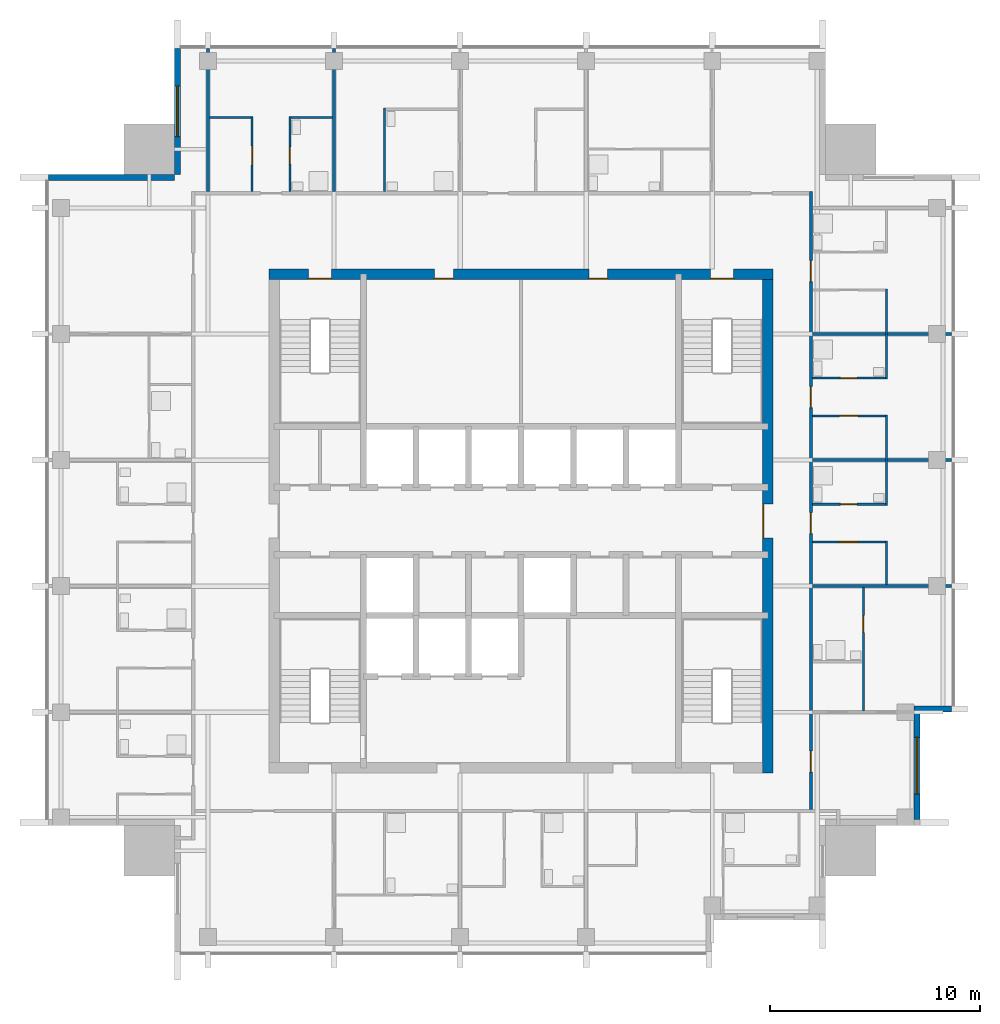
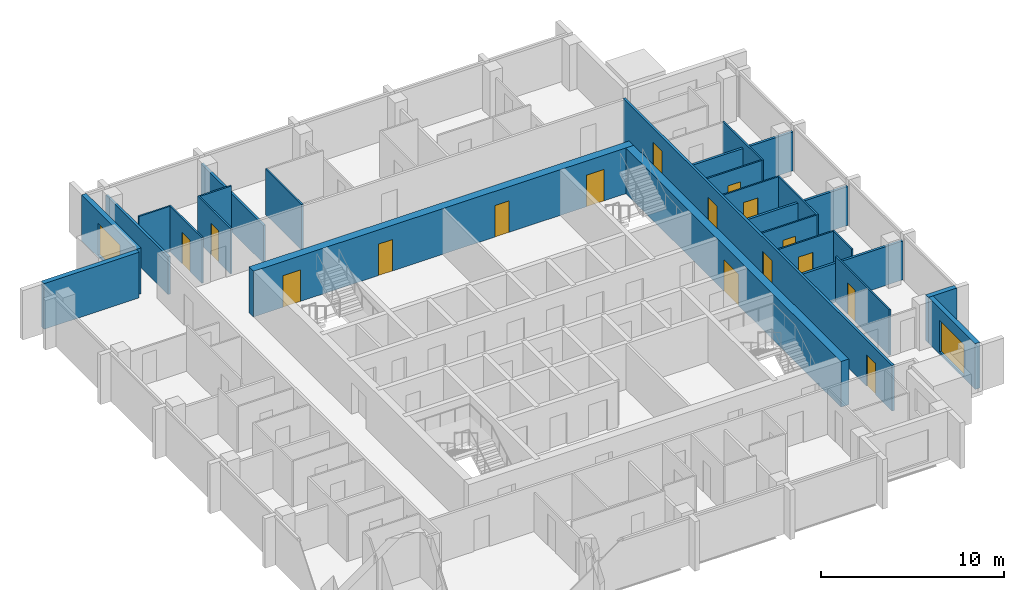
# One storey, part 6 of 9: 25 walls, 16 doors, 2 windows, 18 openings.
"""IFC4 building model written with IfcOpenShell, lengths in metres."""

from ifc_helpers import new_model, si_unit, direction, frame, frame_2d, origin, place, context, subcontext, project, spatial, rectangle, extrude, material, layer, layer_set, type_object, element, fill, save


model = new_model("IFC4")

# Units and contexts
model_context = context("Model", 3, precision=1e-05, world=origin(), true_north=direction((0.0, 1.0)))
body_context = subcontext(model_context, "Body", "Model", "MODEL_VIEW")
ifc_project = project(units=[si_unit("LENGTHUNIT", "METRE"), si_unit("AREAUNIT", "SQUARE_METRE"), si_unit("VOLUMEUNIT", "CUBIC_METRE"), si_unit("PLANEANGLEUNIT", "RADIAN"), si_unit("MASSUNIT", "GRAM", prefix="KILO")], contexts=[model_context])

# Site, building, storey
site_placement = place(None, origin())
site = spatial("IfcSite", under=ifc_project, at=site_placement, CompositionType="ELEMENT")
building_placement = place(site_placement, origin())
building = spatial("IfcBuilding", under=site, at=building_placement, Name="Amberfall Residences", CompositionType="ELEMENT")
storey_placement = place(building_placement, frame((0.0, 0.0, 242.199951171875)))
storey = spatial("IfcBuildingStorey", under=building, at=storey_placement, Name="L64", CompositionType="ELEMENT", Elevation=242.199951171875)

# Wall
ifc_material_1 = material(Name="Pale stone cladding on insulated backing", Category="masonry")
ifc_layer_1 = layer(ifc_material_1, 0.300048828125)
ifc_layer_set_1 = layer_set([ifc_layer_1], Name="Bronze clad wall 300")
wall_type_1 = type_object("IfcWallType", Name="Bronze clad wall 300", PredefinedType="SOLIDWALL", material=ifc_layer_set_1)
wall_1_placement = place(storey_placement, frame((93.199951171875, 36.550048828125, 0.0), z_axis=(0.0, 0.0, 1.0), x_axis=(1.0, 0.0, 0.0)))
element("IfcWall", 1, at=wall_1_placement, inside=storey, type_object=wall_type_1, Name="External wall L64 E", PredefinedType="SOLIDWALL", context=body_context, shape_type="SweptSolid", body=[
    extrude(rectangle(XDim=1.800048828125, YDim=0.300048828125, at=frame_2d((0.89990234375, 0.0))), origin(), (0.0, 0.0, 1.0), 3.050048828125),
])

# Wall, opening, window
wall_2_placement = place(storey_placement, frame((58.14990234375, 68.0, 0.0), z_axis=(0.0, 0.0, 1.0), x_axis=(0.0, -1.0, 0.0)))
wall_2 = element("IfcWall", 2, at=wall_2_placement, inside=storey, type_object=wall_type_1, Name="External wall L64 NW", PredefinedType="SOLIDWALL", context=body_context, shape_type="SweptSolid", body=[
    extrude(rectangle(XDim=6.0, YDim=0.300048828125, at=frame_2d((3.0, 0.0))), origin(), (0.0, 0.0, 1.0), 3.050048828125),
])
opening_1_placement = place(wall_2_placement, frame((1.800048828125, 0.0, 0.14990234375)))
opening_1 = element("IfcOpeningElement", 3, at=opening_1_placement, cuts=wall_2, Name="Opening WN5", PredefinedType="OPENING", context=body_context, shape_type="SweptSolid", body=[
    extrude(rectangle(XDim=2.39990234375, YDim=2.10009765625, at=frame_2d((1.199951171875, 1.050048828125))), frame((0.0, 0.159912109375, 0.0), z_axis=(0.0, -1.0, 0.0), x_axis=(1.0, 0.0, 0.0)), (0.0, 0.0, 1.0), 0.320068359375),
])
ifc_material_2 = material(Name="Bronze aluminium framed glazing", Category="aluminium")
window_type_1 = type_object("IfcWindowType", Name="Glazed opening 2400 x 2100 bronze", PartitioningType="DOUBLE_PANEL_VERTICAL", PredefinedType="WINDOW", material=ifc_material_2)
window_1_placement = place(opening_1_placement, origin())
window_1 = element("IfcWindow", 4, at=window_1_placement, inside=storey, type_object=window_type_1, Name="Window L64 NW", OverallHeight=2.10009765625, OverallWidth=2.39990234375, PartitioningType="DOUBLE_PANEL_VERTICAL", PredefinedType="WINDOW", context=body_context, shape_type="SweptSolid", body=[
    extrude(rectangle(XDim=2.39990234375, YDim=2.10009765625, at=frame_2d((1.199951171875, 1.050048828125))), frame((0.0, 0.030029296875, 0.0), z_axis=(0.0, -1.0, 0.0), x_axis=(1.0, 0.0, 0.0)), (0.0, 0.0, 1.0), 0.06005859375),
])
fill(opening_1, window_1)

# Wall
wall_3_placement = place(storey_placement, frame((58.0, 61.85009765625, 0.0), z_axis=(0.0, 0.0, 1.0), x_axis=(-1.0, 0.0, 0.0)))
element("IfcWall", 5, at=wall_3_placement, inside=storey, type_object=wall_type_1, Name="External wall L64 NW", PredefinedType="SOLIDWALL", context=body_context, shape_type="SweptSolid", body=[
    extrude(rectangle(XDim=6.0, YDim=0.300048828125, at=frame_2d((3.0, 0.0))), origin(), (0.0, 0.0, 1.0), 3.050048828125),
])

# Wall, opening, window
wall_4_placement = place(storey_placement, frame((93.35009765625, 31.300048828125, 0.0), z_axis=(0.0, 0.0, 1.0), x_axis=(0.0, 1.0, 0.0)))
wall_4 = element("IfcWall", 6, at=wall_4_placement, inside=storey, type_object=wall_type_1, Name="Stone wall L64 E", PredefinedType="SOLIDWALL", context=body_context, shape_type="SweptSolid", body=[
    extrude(rectangle(XDim=5.099853515625, YDim=0.300048828125, at=frame_2d((2.5498046875, 0.0))), origin(), (0.0, 0.0, 1.0), 3.050048828125),
])
opening_2_placement = place(wall_4_placement, frame((1.199951171875, 0.0, 0.14990234375)))
opening_2 = element("IfcOpeningElement", 7, at=opening_2_placement, cuts=wall_4, Name="Opening WN4", PredefinedType="OPENING", context=body_context, shape_type="SweptSolid", body=[
    extrude(rectangle(XDim=2.699951171875, YDim=2.10009765625, at=frame_2d((1.35009765625, 1.050048828125))), frame((0.0, 0.159912109375, 0.0), z_axis=(0.0, -1.0, 0.0), x_axis=(1.0, 0.0, 0.0)), (0.0, 0.0, 1.0), 0.320068359375),
])
window_type_2 = type_object("IfcWindowType", Name="Glazed opening 2700 x 2100 bronze", PartitioningType="DOUBLE_PANEL_VERTICAL", PredefinedType="WINDOW", material=ifc_material_2)
window_2_placement = place(opening_2_placement, origin())
window_2 = element("IfcWindow", 8, at=window_2_placement, inside=storey, type_object=window_type_2, Name="Window L64 E", OverallHeight=2.10009765625, OverallWidth=2.699951171875, PartitioningType="DOUBLE_PANEL_VERTICAL", PredefinedType="WINDOW", context=body_context, shape_type="SweptSolid", body=[
    extrude(rectangle(XDim=2.699951171875, YDim=2.10009765625, at=frame_2d((1.35009765625, 1.050048828125))), frame((0.0, 0.030029296875, 0.0), z_axis=(0.0, -1.0, 0.0), x_axis=(1.0, 0.0, 0.0)), (0.0, 0.0, 1.0), 0.06005859375),
])
fill(opening_2, window_2)

# Wall, openings, doors
ifc_material_3 = material(Name="Concrete C50", Category="concrete")
ifc_layer_2 = layer(ifc_material_3, 0.5)
ifc_layer_set_2 = layer_set([ifc_layer_2], Name="Core wall 500 C50")
wall_type_2 = type_object("IfcWallType", Name="Core wall 500 C50", PredefinedType="SHEAR", material=ifc_layer_set_2)
wall_5_placement = place(storey_placement, frame((62.5, 57.25, 0.0), z_axis=(0.0, 0.0, 1.0), x_axis=(1.0, 0.0, 0.0)))
wall_5 = element("IfcWall", 9, at=wall_5_placement, inside=storey, type_object=wall_type_2, Name="Core wall RW9 L64 ON", PredefinedType="SHEAR", context=body_context, shape_type="SweptSolid", body=[
    extrude(rectangle(XDim=24.0, YDim=0.5, at=frame_2d((12.0, 0.0))), origin(), (0.0, 0.0, 1.0), 3.050048828125),
])
opening_3_placement = place(wall_5_placement, frame((21.02490234375, 0.0, 0.0)))
opening_3 = element("IfcOpeningElement", 10, at=opening_3_placement, cuts=wall_5, Name="Opening SD1", PredefinedType="OPENING", context=body_context, shape_type="SweptSolid", body=[
    extrude(rectangle(XDim=1.10009765625, YDim=2.10009765625, at=frame_2d((0.550048828125, 1.050048828125))), frame((0.0, 0.260009765625, 0.0), z_axis=(0.0, -1.0, 0.0), x_axis=(1.0, 0.0, 0.0)), (0.0, 0.0, 1.0), 0.52001953125),
])
opening_4_placement = place(wall_5_placement, frame((1.875, 0.0, 0.0)))
opening_4 = element("IfcOpeningElement", 11, at=opening_4_placement, cuts=wall_5, Name="Opening SD1", PredefinedType="OPENING", context=body_context, shape_type="SweptSolid", body=[
    extrude(rectangle(XDim=1.10009765625, YDim=2.10009765625, at=frame_2d((0.550048828125, 1.050048828125))), frame((0.0, 0.260009765625, 0.0), z_axis=(0.0, -1.0, 0.0), x_axis=(1.0, 0.0, 0.0)), (0.0, 0.0, 1.0), 0.52001953125),
])
opening_5_placement = place(wall_5_placement, frame((7.875, 0.0, 0.0)))
opening_5 = element("IfcOpeningElement", 12, at=opening_5_placement, cuts=wall_5, Name="Opening RD1", PredefinedType="OPENING", context=body_context, shape_type="SweptSolid", body=[
    extrude(rectangle(XDim=0.89990234375, YDim=2.10009765625, at=frame_2d((0.449951171875, 1.050048828125))), frame((0.0, 0.260009765625, 0.0), z_axis=(0.0, -1.0, 0.0), x_axis=(1.0, 0.0, 0.0)), (0.0, 0.0, 1.0), 0.52001953125),
])
opening_6_placement = place(wall_5_placement, frame((15.22509765625, 0.0, 0.0)))
opening_6 = element("IfcOpeningElement", 13, at=opening_6_placement, cuts=wall_5, Name="Opening RD1", PredefinedType="OPENING", context=body_context, shape_type="SweptSolid", body=[
    extrude(rectangle(XDim=0.89990234375, YDim=2.10009765625, at=frame_2d((0.449951171875, 1.050048828125))), frame((0.0, 0.260009765625, 0.0), z_axis=(0.0, -1.0, 0.0), x_axis=(1.0, 0.0, 0.0)), (0.0, 0.0, 1.0), 0.52001953125),
])
ifc_material_4 = material(Name="Steel fire door set", Category="steel")
door_type_1 = type_object("IfcDoorType", Name="Service room door 900 x 2100", OperationType="SINGLE_SWING_LEFT", PredefinedType="DOOR", material=ifc_material_4)
door_1_placement = place(opening_5_placement, origin())
door_1 = element("IfcDoor", 14, at=door_1_placement, inside=storey, type_object=door_type_1, Name="RD1 L64", OperationType="SINGLE_SWING_RIGHT", OverallHeight=2.10009765625, OverallWidth=0.89990234375, PredefinedType="DOOR", context=body_context, shape_type="SweptSolid", body=[
    extrude(rectangle(XDim=0.89990234375, YDim=2.10009765625, at=frame_2d((0.449951171875, 1.050048828125))), frame((0.0, -0.1875, 0.0), z_axis=(0.0, -1.0, 0.0), x_axis=(1.0, 0.0, 0.0)), (0.0, 0.0, 1.0), 0.050048828125),
])
fill(opening_5, door_1)
door_2_placement = place(opening_6_placement, origin())
door_2 = element("IfcDoor", 15, at=door_2_placement, inside=storey, type_object=door_type_1, Name="RD1 L64", OperationType="SINGLE_SWING_RIGHT", OverallHeight=2.10009765625, OverallWidth=0.89990234375, PredefinedType="DOOR", context=body_context, shape_type="SweptSolid", body=[
    extrude(rectangle(XDim=0.89990234375, YDim=2.10009765625, at=frame_2d((0.449951171875, 1.050048828125))), frame((0.0, -0.1875, 0.0), z_axis=(0.0, -1.0, 0.0), x_axis=(1.0, 0.0, 0.0)), (0.0, 0.0, 1.0), 0.050048828125),
])
fill(opening_6, door_2)
door_type_2 = type_object("IfcDoorType", Name="Stair door 1100 x 2100", OperationType="SINGLE_SWING_LEFT", PredefinedType="DOOR", material=ifc_material_4)
door_3_placement = place(opening_3_placement, origin())
door_3 = element("IfcDoor", 16, at=door_3_placement, inside=storey, type_object=door_type_2, Name="SD1 L64", OperationType="SINGLE_SWING_RIGHT", OverallHeight=2.10009765625, OverallWidth=1.10009765625, PredefinedType="DOOR", context=body_context, shape_type="SweptSolid", body=[
    extrude(rectangle(XDim=1.10009765625, YDim=2.10009765625, at=frame_2d((0.550048828125, 1.050048828125))), frame((0.0, -0.1875, 0.0), z_axis=(0.0, -1.0, 0.0), x_axis=(1.0, 0.0, 0.0)), (0.0, 0.0, 1.0), 0.050048828125),
])
fill(opening_3, door_3)
door_4_placement = place(opening_4_placement, origin())
door_4 = element("IfcDoor", 17, at=door_4_placement, inside=storey, type_object=door_type_2, Name="SD1 L64", OperationType="SINGLE_SWING_LEFT", OverallHeight=2.10009765625, OverallWidth=1.10009765625, PredefinedType="DOOR", context=body_context, shape_type="SweptSolid", body=[
    extrude(rectangle(XDim=1.10009765625, YDim=2.10009765625, at=frame_2d((0.550048828125, 1.050048828125))), frame((0.0, -0.1875, 0.0), z_axis=(0.0, -1.0, 0.0), x_axis=(1.0, 0.0, 0.0)), (0.0, 0.0, 1.0), 0.050048828125),
])
fill(opening_4, door_4)

# Wall, opening, door
wall_6_placement = place(storey_placement, frame((86.25, 33.5, 0.0), z_axis=(0.0, 0.0, 1.0), x_axis=(0.0, 1.0, 0.0)))
wall_6 = element("IfcWall", 18, at=wall_6_placement, inside=storey, type_object=wall_type_2, Name="Core wall RW9 L64 OE", PredefinedType="SHEAR", context=body_context, shape_type="SweptSolid", body=[
    extrude(rectangle(XDim=24.0, YDim=0.5, at=frame_2d((12.0, 0.0))), origin(), (0.0, 0.0, 1.0), 3.050048828125),
])
opening_7_placement = place(wall_6_placement, frame((11.199951171875, 0.0, 0.0)))
opening_7 = element("IfcOpeningElement", 19, at=opening_7_placement, cuts=wall_6, Name="Opening LB1", PredefinedType="OPENING", context=body_context, shape_type="SweptSolid", body=[
    extrude(rectangle(XDim=1.60009765625, YDim=2.10009765625, at=frame_2d((0.800048828125, 1.050048828125))), frame((0.0, 0.260009765625, 0.0), z_axis=(0.0, -1.0, 0.0), x_axis=(1.0, 0.0, 0.0)), (0.0, 0.0, 1.0), 0.52001953125),
])
door_type_3 = type_object("IfcDoorType", Name="Lift lobby double door 1600 x 2100", OperationType="DOUBLE_DOOR_SINGLE_SWING", PredefinedType="DOOR", material=ifc_material_4)
door_5_placement = place(opening_7_placement, origin())
door_5 = element("IfcDoor", 20, at=door_5_placement, inside=storey, type_object=door_type_3, Name="LB1 L64", OperationType="DOUBLE_DOOR_SINGLE_SWING", OverallHeight=2.10009765625, OverallWidth=1.60009765625, PredefinedType="DOOR", context=body_context, shape_type="SweptSolid", body=[
    extrude(rectangle(XDim=1.60009765625, YDim=2.10009765625, at=frame_2d((0.800048828125, 1.050048828125))), frame((0.0, 0.2373046875, 0.0), z_axis=(0.0, -1.0, 0.0), x_axis=(1.0, 0.0, 0.0)), (0.0, 0.0, 1.0), 0.050048828125),
])
fill(opening_7, door_5)

ifc_material_5 = material(Name="Gypsum board on metal stud")
ifc_layer_3 = layer(ifc_material_5, 0.10009765625)
ifc_layer_set_3 = layer_set([ifc_layer_3], Name="Flat partition 100")
wall_type_3 = type_object("IfcWallType", Name="Flat partition 100", PredefinedType="PARTITIONING", material=ifc_layer_set_3)
wall_7_placement = place(storey_placement, frame((61.699951171875, 61.175048828125, 0.0), z_axis=(0.0, 0.0, 1.0), x_axis=(0.0, 1.0, 0.0)))
wall_7 = element("IfcWall", 21, at=wall_7_placement, inside=storey, type_object=wall_type_3, Name="Partition 006", PredefinedType="PARTITIONING", context=body_context, shape_type="SweptSolid", body=[
    extrude(rectangle(XDim=3.574951171875, YDim=0.10009765625, at=frame_2d((1.78759765625, 0.0))), origin(), (0.0, 0.0, 1.0), 3.050048828125),
])
opening_8_placement = place(wall_7_placement, frame((1.27490234375, 0.0, 0.0)))
opening_8 = element("IfcOpeningElement", 22, at=opening_8_placement, cuts=wall_7, Name="Opening D41", PredefinedType="OPENING", context=body_context, shape_type="SweptSolid", body=[
    extrude(rectangle(XDim=0.89990234375, YDim=2.10009765625, at=frame_2d((0.449951171875, 1.050048828125))), frame((0.0, 0.06005859375, 0.0), z_axis=(0.0, -1.0, 0.0), x_axis=(1.0, 0.0, 0.0)), (0.0, 0.0, 1.0), 0.1201171875),
])
ifc_material_6 = material(Name="Timber", Category="wood")
door_type_4 = type_object("IfcDoorType", Name="Internal door 900 x 2100", OperationType="SINGLE_SWING_LEFT", PredefinedType="DOOR", material=ifc_material_6)
door_6_placement = place(opening_8_placement, origin())
door_6 = element("IfcDoor", 23, at=door_6_placement, inside=storey, type_object=door_type_4, Name="Door 6408 kitchen", OperationType="SINGLE_SWING_LEFT", OverallHeight=2.10009765625, OverallWidth=0.89990234375, PredefinedType="DOOR", context=body_context, shape_type="SweptSolid", body=[
    extrude(rectangle(XDim=0.89990234375, YDim=2.10009765625, at=frame_2d((0.449951171875, 1.050048828125))), frame((0.0, 0.02490234375, 0.0), z_axis=(0.0, -1.0, 0.0), x_axis=(1.0, 0.0, 0.0)), (0.0, 0.0, 1.0), 0.050048828125),
])
fill(opening_8, door_6)

wall_8_placement = place(storey_placement, frame((63.5, 64.75, 0.0), z_axis=(0.0, 0.0, 1.0), x_axis=(0.0, -1.0, 0.0)))
wall_8 = element("IfcWall", 24, at=wall_8_placement, inside=storey, type_object=wall_type_3, Name="Partition 007", PredefinedType="PARTITIONING", context=body_context, shape_type="SweptSolid", body=[
    extrude(rectangle(XDim=3.574951171875, YDim=0.10009765625, at=frame_2d((1.78759765625, 0.0))), origin(), (0.0, 0.0, 1.0), 3.050048828125),
])
opening_9_placement = place(wall_8_placement, frame((1.449951171875, 0.0, 0.0)))
opening_9 = element("IfcOpeningElement", 25, at=opening_9_placement, cuts=wall_8, Name="Opening D42", PredefinedType="OPENING", context=body_context, shape_type="SweptSolid", body=[
    extrude(rectangle(XDim=0.800048828125, YDim=2.10009765625, at=frame_2d((0.39990234375, 1.050048828125))), frame((0.0, 0.06005859375, 0.0), z_axis=(0.0, -1.0, 0.0), x_axis=(1.0, 0.0, 0.0)), (0.0, 0.0, 1.0), 0.1201171875),
])
door_type_5 = type_object("IfcDoorType", Name="Bathroom door 800 x 2100", OperationType="SINGLE_SWING_LEFT", PredefinedType="DOOR", material=ifc_material_6)
door_7_placement = place(opening_9_placement, origin())
door_7 = element("IfcDoor", 26, at=door_7_placement, inside=storey, type_object=door_type_5, Name="Door 6408 bath1", OperationType="SINGLE_SWING_LEFT", OverallHeight=2.10009765625, OverallWidth=0.800048828125, PredefinedType="DOOR", context=body_context, shape_type="SweptSolid", body=[
    extrude(rectangle(XDim=0.800048828125, YDim=2.10009765625, at=frame_2d((0.39990234375, 1.050048828125))), frame((0.0, 0.02490234375, 0.0), z_axis=(0.0, -1.0, 0.0), x_axis=(1.0, 0.0, 0.0)), (0.0, 0.0, 1.0), 0.050048828125),
])
fill(opening_9, door_7)

# Wall
wall_9_placement = place(storey_placement, frame((68.0, 61.175048828125, 0.0), z_axis=(0.0, 0.0, 1.0), x_axis=(0.0, 1.0, 0.0)))
element("IfcWall", 27, at=wall_9_placement, inside=storey, type_object=wall_type_3, Name="Partition 010", PredefinedType="PARTITIONING", context=body_context, shape_type="SweptSolid", body=[
    extrude(rectangle(XDim=3.974853515625, YDim=0.10009765625, at=frame_2d((1.9873046875, 0.0))), origin(), (0.0, 0.0, 1.0), 3.050048828125),
])

# Wall, opening, door
wall_10_placement = place(storey_placement, frame((90.800048828125, 36.449951171875, 0.0), z_axis=(0.0, 0.0, 1.0), x_axis=(0.0, 1.0, 0.0)))
wall_10 = element("IfcWall", 28, at=wall_10_placement, inside=storey, type_object=wall_type_3, Name="Partition 020", PredefinedType="PARTITIONING", context=body_context, shape_type="SweptSolid", body=[
    extrude(rectangle(XDim=5.875, YDim=0.10009765625, at=frame_2d((2.9375, 0.0))), origin(), (0.0, 0.0, 1.0), 3.050048828125),
])
opening_10_placement = place(wall_10_placement, frame((3.75, 0.0, 0.0)))
opening_10 = element("IfcOpeningElement", 29, at=opening_10_placement, cuts=wall_10, Name="Opening D42", PredefinedType="OPENING", context=body_context, shape_type="SweptSolid", body=[
    extrude(rectangle(XDim=0.800048828125, YDim=2.10009765625, at=frame_2d((0.39990234375, 1.050048828125))), frame((0.0, 0.06005859375, 0.0), z_axis=(0.0, -1.0, 0.0), x_axis=(1.0, 0.0, 0.0)), (0.0, 0.0, 1.0), 0.1201171875),
])
door_8_placement = place(opening_10_placement, origin())
door_8 = element("IfcDoor", 30, at=door_8_placement, inside=storey, type_object=door_type_5, Name="Door 6404 bath1", OperationType="SINGLE_SWING_LEFT", OverallHeight=2.10009765625, OverallWidth=0.800048828125, PredefinedType="DOOR", context=body_context, shape_type="SweptSolid", body=[
    extrude(rectangle(XDim=0.800048828125, YDim=2.10009765625, at=frame_2d((0.39990234375, 1.050048828125))), frame((0.0, 0.02490234375, 0.0), z_axis=(0.0, -1.0, 0.0), x_axis=(1.0, 0.0, 0.0)), (0.0, 0.0, 1.0), 0.050048828125),
])
fill(opening_10, door_8)

# Walls
wall_11_placement = place(storey_placement, frame((91.89990234375, 42.47509765625, 0.0), z_axis=(0.0, 0.0, 1.0), x_axis=(0.0, 1.0, 0.0)))
element("IfcWall", 31, at=wall_11_placement, inside=storey, type_object=wall_type_3, Name="Partition 021", PredefinedType="PARTITIONING", context=body_context, shape_type="SweptSolid", body=[
    extrude(rectangle(XDim=2.074951171875, YDim=0.10009765625, at=frame_2d((1.03759765625, 0.0))), origin(), (0.0, 0.0, 1.0), 3.050048828125),
])
for number, where, z_axis, x_axis, name in (
    (32, (91.89990234375, 46.25, 0.0), (0.0, 0.0, 1.0), (0.0, 1.0, 0.0), "Partition 022"),
    (33, (91.89990234375, 52.25, 0.0), (0.0, 0.0, 1.0), (0.0, 1.0, 0.0), "Partition 023"),
):
    element("IfcWall", number, at=place(storey_placement, frame(where, z_axis=z_axis, x_axis=x_axis)), inside=storey, type_object=wall_type_3, Name=name, PredefinedType="PARTITIONING", context=body_context, shape_type="SweptSolid", body=[
        extrude(rectangle(XDim=4.300048828125, YDim=0.10009765625, at=frame_2d((2.14990234375, 0.0))), origin(), (0.0, 0.0, 1.0), 3.050048828125),
    ])
for number, where, z_axis, x_axis, name in (
    (34, (59.675048828125, 64.699951171875, 0.0), (0.0, 0.0, 1.0), (1.0, 0.0, 0.0), "Partition 027"),
    (35, (63.550048828125, 64.699951171875, 0.0), (0.0, 0.0, 1.0), (1.0, 0.0, 0.0), "Partition 028"),
):
    element("IfcWall", number, at=place(storey_placement, frame(where, z_axis=z_axis, x_axis=x_axis)), inside=storey, type_object=wall_type_3, Name=name, PredefinedType="PARTITIONING", context=body_context, shape_type="SweptSolid", body=[
        extrude(rectangle(XDim=1.974853515625, YDim=0.10009765625, at=frame_2d((0.9873046875, 0.0))), origin(), (0.0, 0.0, 1.0), 3.050048828125),
    ])

# Wall, opening, door
wall_12_placement = place(storey_placement, frame((88.375, 52.300048828125, 0.0), z_axis=(0.0, 0.0, 1.0), x_axis=(1.0, 0.0, 0.0)))
wall_12 = element("IfcWall", 36, at=wall_12_placement, inside=storey, type_object=wall_type_3, Name="Partition 033", PredefinedType="PARTITIONING", context=body_context, shape_type="SweptSolid", body=[
    extrude(rectangle(XDim=3.47509765625, YDim=0.10009765625, at=frame_2d((1.737548828125, 0.0))), origin(), (0.0, 0.0, 1.0), 3.050048828125),
])
opening_11_placement = place(wall_12_placement, frame((1.324951171875, 0.0, 0.0)))
opening_11 = element("IfcOpeningElement", 37, at=opening_11_placement, cuts=wall_12, Name="Opening D42", PredefinedType="OPENING", context=body_context, shape_type="SweptSolid", body=[
    extrude(rectangle(XDim=0.800048828125, YDim=2.10009765625, at=frame_2d((0.39990234375, 1.050048828125))), frame((0.0, 0.06005859375, 0.0), z_axis=(0.0, -1.0, 0.0), x_axis=(1.0, 0.0, 0.0)), (0.0, 0.0, 1.0), 0.1201171875),
])
door_9_placement = place(opening_11_placement, origin())
door_9 = element("IfcDoor", 38, at=door_9_placement, inside=storey, type_object=door_type_5, Name="Door 6406 bath1", OperationType="SINGLE_SWING_LEFT", OverallHeight=2.10009765625, OverallWidth=0.800048828125, PredefinedType="DOOR", context=body_context, shape_type="SweptSolid", body=[
    extrude(rectangle(XDim=0.800048828125, YDim=2.10009765625, at=frame_2d((0.39990234375, 1.050048828125))), frame((0.0, 0.02490234375, 0.0), z_axis=(0.0, -1.0, 0.0), x_axis=(1.0, 0.0, 0.0)), (0.0, 0.0, 1.0), 0.050048828125),
])
fill(opening_11, door_9)

wall_13_placement = place(storey_placement, frame((91.85009765625, 50.5, 0.0), z_axis=(0.0, 0.0, 1.0), x_axis=(-1.0, 0.0, 0.0)))
wall_13 = element("IfcWall", 39, at=wall_13_placement, inside=storey, type_object=wall_type_3, Name="Partition 035", PredefinedType="PARTITIONING", context=body_context, shape_type="SweptSolid", body=[
    extrude(rectangle(XDim=3.47509765625, YDim=0.10009765625, at=frame_2d((1.737548828125, 0.0))), origin(), (0.0, 0.0, 1.0), 3.050048828125),
])
opening_12_placement = place(wall_13_placement, frame((1.300048828125, 0.0, 0.0)))
opening_12 = element("IfcOpeningElement", 40, at=opening_12_placement, cuts=wall_13, Name="Opening D41", PredefinedType="OPENING", context=body_context, shape_type="SweptSolid", body=[
    extrude(rectangle(XDim=0.89990234375, YDim=2.10009765625, at=frame_2d((0.449951171875, 1.050048828125))), frame((0.0, 0.06005859375, 0.0), z_axis=(0.0, -1.0, 0.0), x_axis=(1.0, 0.0, 0.0)), (0.0, 0.0, 1.0), 0.1201171875),
])
door_10_placement = place(opening_12_placement, origin())
door_10 = element("IfcDoor", 41, at=door_10_placement, inside=storey, type_object=door_type_4, Name="Door 6406 kitchen", OperationType="SINGLE_SWING_LEFT", OverallHeight=2.10009765625, OverallWidth=0.89990234375, PredefinedType="DOOR", context=body_context, shape_type="SweptSolid", body=[
    extrude(rectangle(XDim=0.89990234375, YDim=2.10009765625, at=frame_2d((0.449951171875, 1.050048828125))), frame((0.0, 0.02490234375, 0.0), z_axis=(0.0, -1.0, 0.0), x_axis=(1.0, 0.0, 0.0)), (0.0, 0.0, 1.0), 0.050048828125),
])
fill(opening_12, door_10)

wall_14_placement = place(storey_placement, frame((88.375, 46.300048828125, 0.0), z_axis=(0.0, 0.0, 1.0), x_axis=(1.0, 0.0, 0.0)))
wall_14 = element("IfcWall", 42, at=wall_14_placement, inside=storey, type_object=wall_type_3, Name="Partition 037", PredefinedType="PARTITIONING", context=body_context, shape_type="SweptSolid", body=[
    extrude(rectangle(XDim=3.47509765625, YDim=0.10009765625, at=frame_2d((1.737548828125, 0.0))), origin(), (0.0, 0.0, 1.0), 3.050048828125),
])
opening_13_placement = place(wall_14_placement, frame((1.324951171875, 0.0, 0.0)))
opening_13 = element("IfcOpeningElement", 43, at=opening_13_placement, cuts=wall_14, Name="Opening D42", PredefinedType="OPENING", context=body_context, shape_type="SweptSolid", body=[
    extrude(rectangle(XDim=0.800048828125, YDim=2.10009765625, at=frame_2d((0.39990234375, 1.050048828125))), frame((0.0, 0.06005859375, 0.0), z_axis=(0.0, -1.0, 0.0), x_axis=(1.0, 0.0, 0.0)), (0.0, 0.0, 1.0), 0.1201171875),
])
door_11_placement = place(opening_13_placement, origin())
door_11 = element("IfcDoor", 44, at=door_11_placement, inside=storey, type_object=door_type_5, Name="Door 6405 bath1", OperationType="SINGLE_SWING_LEFT", OverallHeight=2.10009765625, OverallWidth=0.800048828125, PredefinedType="DOOR", context=body_context, shape_type="SweptSolid", body=[
    extrude(rectangle(XDim=0.800048828125, YDim=2.10009765625, at=frame_2d((0.39990234375, 1.050048828125))), frame((0.0, 0.02490234375, 0.0), z_axis=(0.0, -1.0, 0.0), x_axis=(1.0, 0.0, 0.0)), (0.0, 0.0, 1.0), 0.050048828125),
])
fill(opening_13, door_11)

wall_15_placement = place(storey_placement, frame((91.85009765625, 44.5, 0.0), z_axis=(0.0, 0.0, 1.0), x_axis=(-1.0, 0.0, 0.0)))
wall_15 = element("IfcWall", 45, at=wall_15_placement, inside=storey, type_object=wall_type_3, Name="Partition 039", PredefinedType="PARTITIONING", context=body_context, shape_type="SweptSolid", body=[
    extrude(rectangle(XDim=3.47509765625, YDim=0.10009765625, at=frame_2d((1.737548828125, 0.0))), origin(), (0.0, 0.0, 1.0), 3.050048828125),
])
opening_14_placement = place(wall_15_placement, frame((1.300048828125, 0.0, 0.0)))
opening_14 = element("IfcOpeningElement", 46, at=opening_14_placement, cuts=wall_15, Name="Opening D41", PredefinedType="OPENING", context=body_context, shape_type="SweptSolid", body=[
    extrude(rectangle(XDim=0.89990234375, YDim=2.10009765625, at=frame_2d((0.449951171875, 1.050048828125))), frame((0.0, 0.06005859375, 0.0), z_axis=(0.0, -1.0, 0.0), x_axis=(1.0, 0.0, 0.0)), (0.0, 0.0, 1.0), 0.1201171875),
])
door_12_placement = place(opening_14_placement, origin())
door_12 = element("IfcDoor", 47, at=door_12_placement, inside=storey, type_object=door_type_4, Name="Door 6405 kitchen", OperationType="SINGLE_SWING_LEFT", OverallHeight=2.10009765625, OverallWidth=0.89990234375, PredefinedType="DOOR", context=body_context, shape_type="SweptSolid", body=[
    extrude(rectangle(XDim=0.89990234375, YDim=2.10009765625, at=frame_2d((0.449951171875, 1.050048828125))), frame((0.0, 0.02490234375, 0.0), z_axis=(0.0, -1.0, 0.0), x_axis=(1.0, 0.0, 0.0)), (0.0, 0.0, 1.0), 0.050048828125),
])
fill(opening_14, door_12)

# Walls
ifc_material_7 = material(Name="Blockwork, plastered", Category="masonry")
ifc_layer_4 = layer(ifc_material_7, 0.14990234375)
ifc_layer_set_4 = layer_set([ifc_layer_4], Name="Flat separating wall 150")
wall_type_4 = type_object("IfcWallType", Name="Flat separating wall 150", PredefinedType="PARTITIONING", material=ifc_layer_set_4)
wall_16_placement = place(storey_placement, frame((59.60009765625, 61.175048828125, 0.0), z_axis=(0.0, 0.0, 1.0), x_axis=(0.0, 1.0, 0.0)))
element("IfcWall", 48, at=wall_16_placement, inside=storey, type_object=wall_type_4, Name="Separating wall 052", PredefinedType="PARTITIONING", context=body_context, shape_type="SweptSolid", body=[
    extrude(rectangle(XDim=6.824951171875, YDim=0.14990234375, at=frame_2d((3.41259765625, 0.0))), origin(), (0.0, 0.0, 1.0), 2.510009765625),
])
wall_17_placement = place(storey_placement, frame((65.60009765625, 61.175048828125, 0.0), z_axis=(0.0, 0.0, 1.0), x_axis=(0.0, 1.0, 0.0)))
element("IfcWall", 49, at=wall_17_placement, inside=storey, type_object=wall_type_4, Name="Separating wall 053", PredefinedType="PARTITIONING", context=body_context, shape_type="SweptSolid", body=[
    extrude(rectangle(XDim=6.824951171875, YDim=0.14990234375, at=frame_2d((3.41259765625, 0.0))), origin(), (0.0, 0.0, 1.0), 2.51611328125),
])

# Wall, openings, doors
wall_18_placement = place(storey_placement, frame((88.300048828125, 61.175048828125, 0.0), z_axis=(0.0, 0.0, 1.0), x_axis=(0.0, -1.0, 0.0)))
wall_18 = element("IfcWall", 50, at=wall_18_placement, inside=storey, type_object=wall_type_4, Name="Separating wall 057", PredefinedType="PARTITIONING", context=body_context, shape_type="SweptSolid", body=[
    extrude(rectangle(XDim=29.400146484375, YDim=0.14990234375, at=frame_2d((14.7001953125, 0.0))), origin(), (0.0, 0.0, 1.0), 3.050048828125),
])
opening_15_placement = place(wall_18_placement, frame((26.625, 0.0, 0.0)))
opening_15 = element("IfcOpeningElement", 51, at=opening_15_placement, cuts=wall_18, Name="Opening D40", PredefinedType="OPENING", context=body_context, shape_type="SweptSolid", body=[
    extrude(rectangle(XDim=1.0, YDim=2.10009765625, at=frame_2d((0.5, 1.050048828125))), frame((0.0, 0.0849609375, 0.0), z_axis=(0.0, -1.0, 0.0), x_axis=(1.0, 0.0, 0.0)), (0.0, 0.0, 1.0), 0.169921875),
])
opening_16_placement = place(wall_18_placement, frame((15.27490234375, 0.0, 0.0)))
opening_16 = element("IfcOpeningElement", 52, at=opening_16_placement, cuts=wall_18, Name="Opening D40", PredefinedType="OPENING", context=body_context, shape_type="SweptSolid", body=[
    extrude(rectangle(XDim=1.0, YDim=2.10009765625, at=frame_2d((0.5, 1.050048828125))), frame((0.0, 0.0849609375, 0.0), z_axis=(0.0, -1.0, 0.0), x_axis=(1.0, 0.0, 0.0)), (0.0, 0.0, 1.0), 0.169921875),
])
opening_17_placement = place(wall_18_placement, frame((9.27490234375, 0.0, 0.0)))
opening_17 = element("IfcOpeningElement", 53, at=opening_17_placement, cuts=wall_18, Name="Opening D40", PredefinedType="OPENING", context=body_context, shape_type="SweptSolid", body=[
    extrude(rectangle(XDim=1.0, YDim=2.10009765625, at=frame_2d((0.5, 1.050048828125))), frame((0.0, 0.0849609375, 0.0), z_axis=(0.0, -1.0, 0.0), x_axis=(1.0, 0.0, 0.0)), (0.0, 0.0, 1.0), 0.169921875),
])
opening_18_placement = place(wall_18_placement, frame((3.27490234375, 0.0, 0.0)))
opening_18 = element("IfcOpeningElement", 54, at=opening_18_placement, cuts=wall_18, Name="Opening D40", PredefinedType="OPENING", context=body_context, shape_type="SweptSolid", body=[
    extrude(rectangle(XDim=1.0, YDim=2.10009765625, at=frame_2d((0.5, 1.050048828125))), frame((0.0, 0.0849609375, 0.0), z_axis=(0.0, -1.0, 0.0), x_axis=(1.0, 0.0, 0.0)), (0.0, 0.0, 1.0), 0.169921875),
])
ifc_material_8 = material(Name="Timber, fire-rated", Category="wood")
door_type_6 = type_object("IfcDoorType", Name="Flat entrance door FD60 1000 x 2100", OperationType="SINGLE_SWING_LEFT", PredefinedType="DOOR", material=ifc_material_8)
door_13_placement = place(opening_15_placement, origin())
door_13 = element("IfcDoor", 55, at=door_13_placement, inside=storey, type_object=door_type_6, Name="Door 6404 entrance", OperationType="SINGLE_SWING_LEFT", OverallHeight=2.10009765625, OverallWidth=1.0, PredefinedType="DOOR", context=body_context, shape_type="SweptSolid", body=[
    extrude(rectangle(XDim=1.0, YDim=2.10009765625, at=frame_2d((0.5, 1.050048828125))), frame((0.0, 0.02490234375, 0.0), z_axis=(0.0, -1.0, 0.0), x_axis=(1.0, 0.0, 0.0)), (0.0, 0.0, 1.0), 0.050048828125),
])
fill(opening_15, door_13)
door_14_placement = place(opening_16_placement, origin())
door_14 = element("IfcDoor", 56, at=door_14_placement, inside=storey, type_object=door_type_6, Name="Door 6405 entrance", OperationType="SINGLE_SWING_LEFT", OverallHeight=2.10009765625, OverallWidth=1.0, PredefinedType="DOOR", context=body_context, shape_type="SweptSolid", body=[
    extrude(rectangle(XDim=1.0, YDim=2.10009765625, at=frame_2d((0.5, 1.050048828125))), frame((0.0, 0.02490234375, 0.0), z_axis=(0.0, -1.0, 0.0), x_axis=(1.0, 0.0, 0.0)), (0.0, 0.0, 1.0), 0.050048828125),
])
fill(opening_16, door_14)
door_15_placement = place(opening_17_placement, origin())
door_15 = element("IfcDoor", 57, at=door_15_placement, inside=storey, type_object=door_type_6, Name="Door 6406 entrance", OperationType="SINGLE_SWING_LEFT", OverallHeight=2.10009765625, OverallWidth=1.0, PredefinedType="DOOR", context=body_context, shape_type="SweptSolid", body=[
    extrude(rectangle(XDim=1.0, YDim=2.10009765625, at=frame_2d((0.5, 1.050048828125))), frame((0.0, 0.02490234375, 0.0), z_axis=(0.0, -1.0, 0.0), x_axis=(1.0, 0.0, 0.0)), (0.0, 0.0, 1.0), 0.050048828125),
])
fill(opening_17, door_15)
door_16_placement = place(opening_18_placement, origin())
door_16 = element("IfcDoor", 58, at=door_16_placement, inside=storey, type_object=door_type_6, Name="Door 6407 entrance", OperationType="SINGLE_SWING_LEFT", OverallHeight=2.10009765625, OverallWidth=1.0, PredefinedType="DOOR", context=body_context, shape_type="SweptSolid", body=[
    extrude(rectangle(XDim=1.0, YDim=2.10009765625, at=frame_2d((0.5, 1.050048828125))), frame((0.0, 0.02490234375, 0.0), z_axis=(0.0, -1.0, 0.0), x_axis=(1.0, 0.0, 0.0)), (0.0, 0.0, 1.0), 0.050048828125),
])
fill(opening_18, door_16)

# Walls
for number, where, z_axis, x_axis, name in (
    (59, (88.375, 54.39990234375, 0.0), (0.0, 0.0, 1.0), (1.0, 0.0, 0.0), "Separating wall 061"),
    (60, (88.375, 48.39990234375, 0.0), (0.0, 0.0, 1.0), (1.0, 0.0, 0.0), "Separating wall 063"),
    (61, (88.375, 42.39990234375, 0.0), (0.0, 0.0, 1.0), (1.0, 0.0, 0.0), "Separating wall 065"),
):
    element("IfcWall", number, at=place(storey_placement, frame(where, z_axis=z_axis, x_axis=x_axis)), inside=storey, type_object=wall_type_4, Name=name, PredefinedType="PARTITIONING", context=body_context, shape_type="SweptSolid", body=[
        extrude(rectangle(XDim=6.625, YDim=0.14990234375, at=frame_2d((3.3125, 0.0))), origin(), (0.0, 0.0, 1.0), 2.590087890625),
    ])

save(model, "model.ifc")
